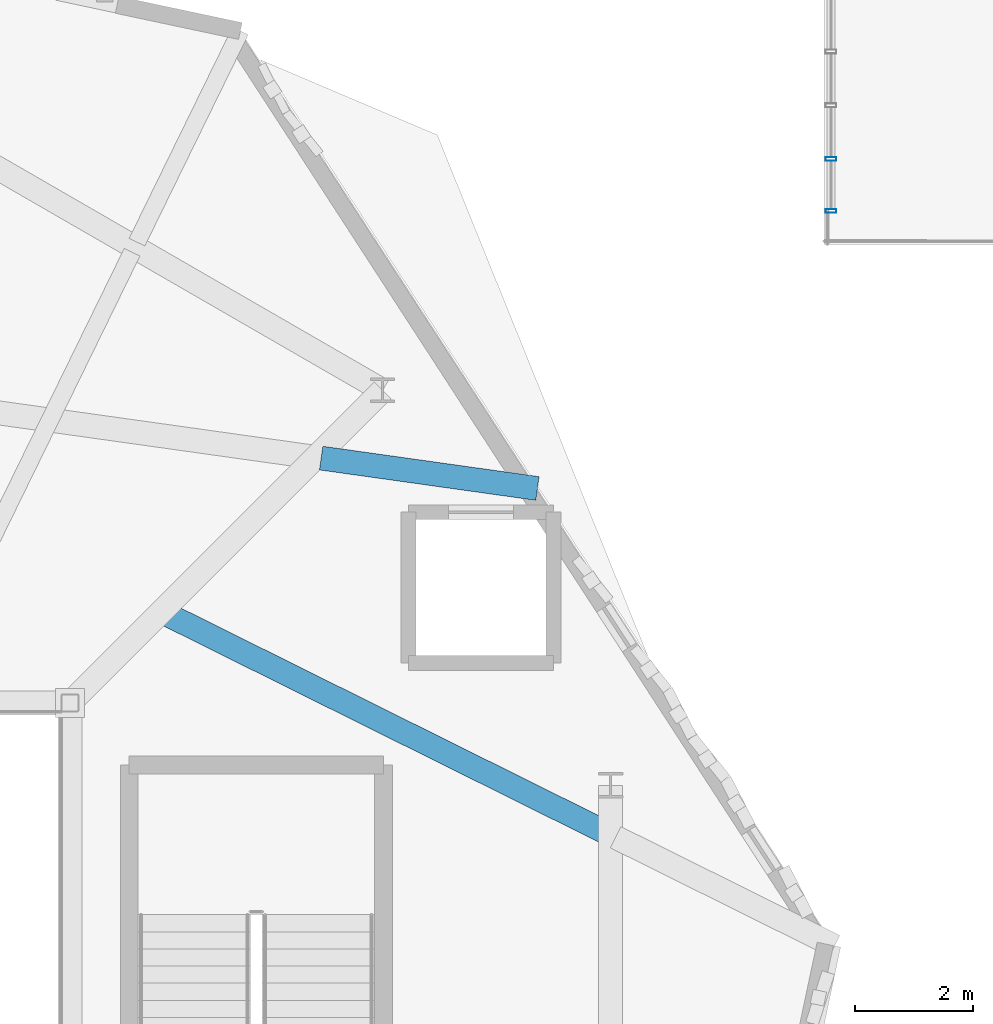
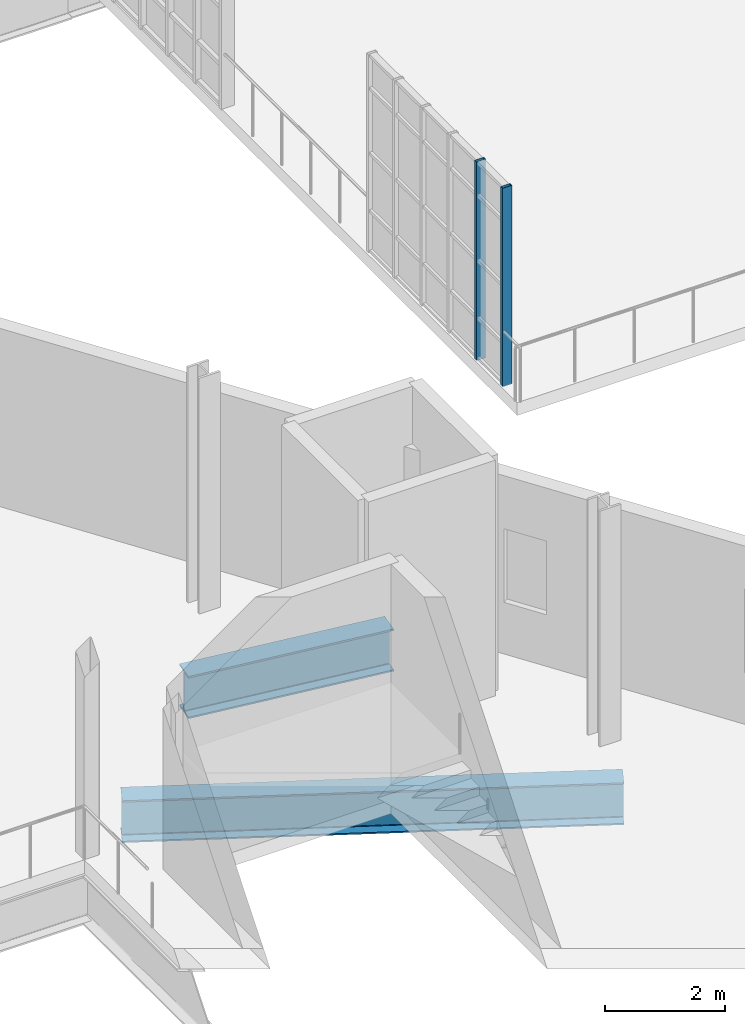
# One storey, part 43 of 118: 2 beams, 2 members, 1 element without a shape of its own.
"""IFC4 building model written with IfcOpenShell, lengths in metres."""

from ifc_helpers import new_model, si_unit, direction, frame, origin, origin_2d, place, context, subcontext, project, spatial, hollow_rectangle, i_section, extrude, material, layer, layer_set, material_profile, profile_set, type_object, element, aggregate, save


model = new_model("IFC4")

# Units and contexts
model_context = context("Model", 3, precision=1e-05, world=origin(), true_north=direction((0.0, 1.0)))
body_context = subcontext(model_context, "Body", "Model", "MODEL_VIEW")
ifc_project = project(units=[si_unit("LENGTHUNIT", "METRE"), si_unit("AREAUNIT", "SQUARE_METRE"), si_unit("VOLUMEUNIT", "CUBIC_METRE"), si_unit("PLANEANGLEUNIT", "RADIAN"), si_unit("MASSUNIT", "GRAM", prefix="KILO"), si_unit("THERMODYNAMICTEMPERATUREUNIT", "KELVIN"), si_unit("POWERUNIT", "WATT")], contexts=[model_context])

# Site, building, storey
site_placement = place(None, origin())
site = spatial("IfcSite", under=ifc_project, at=site_placement, CompositionType="ELEMENT")
building_placement = place(site_placement, origin())
building = spatial("IfcBuilding", under=site, at=building_placement, Name="Zelmaris Science Centre", CompositionType="ELEMENT")
storey_placement = place(building_placement, frame((0.0, 0.0, 15.60009765625)))
storey = spatial("IfcBuildingStorey", under=building, at=storey_placement, Name="L03", CompositionType="ELEMENT", Elevation=15.60009765625)

# Curtain wall, members
ifc_material_1 = material(Name="Anodised architectural aluminium 6063-T6", Category="aluminium")
ifc_layer = layer(ifc_material_1, 0.2099609375, Name="Anodised architectural aluminium 6063-T6")
ifc_layer_set = layer_set([ifc_layer], Name="Anodised architectural aluminium 6063-T6")
curtain_wall_type = type_object("IfcCurtainWallType", Name="Curtain Wall CW-03", PredefinedType="USERDEFINED", material=ifc_layer_set)
curtain_wall_placement = place(storey_placement, origin())
curtain_wall = element("IfcCurtainWall", 1, at=curtain_wall_placement, inside=storey, type_object=curtain_wall_type, Name="L03 Unitised curtain wall 331", ObjectType="GLAZED CURTAIN WALL", PredefinedType="USERDEFINED")
ifc_material_profile_1 = material_profile(ifc_material_1, hollow_rectangle(XDim=0.06494140625, YDim=0.179931640625, WallThickness=0.00390625, at=origin_2d()), Name="ALU-MUL-65X180")
ifc_profile_set_1 = profile_set([ifc_material_profile_1], Name="Anodised architectural aluminium 6063-T6")
member_type = type_object("IfcMemberType", Name="ALU-MUL-65X180", PredefinedType="MULLION", material=ifc_profile_set_1)
member_1_placement = place(storey_placement, frame((99.1201171875, 49.568603515625, -0.01513671875), z_axis=(0.0, 0.0, 1.0), x_axis=(-5.235988e-06, 0.999999999986, 0.0)))
member_1 = element("IfcMember", 2, at=member_1_placement, type_object=member_type, Name="CW-03 mullion 1", PredefinedType="MULLION", context=body_context, shape_type="SweptSolid", body=[
    extrude(hollow_rectangle(XDim=0.06494140625, YDim=0.179931640625, WallThickness=0.00390625, at=origin_2d()), origin(), (0.0, 0.0, 1.0), 4.044921875),
])
member_2_placement = place(storey_placement, frame((99.1201171875, 50.447998046875, -0.01513671875), z_axis=(0.0, 0.0, 1.0), x_axis=(-5.235988e-06, 0.999999999986, 0.0)))
member_2 = element("IfcMember", 3, at=member_2_placement, type_object=member_type, Name="CW-03 mullion 2", PredefinedType="MULLION", context=body_context, shape_type="SweptSolid", body=[
    extrude(hollow_rectangle(XDim=0.06494140625, YDim=0.179931640625, WallThickness=0.00390625, at=origin_2d()), origin(), (0.0, 0.0, 1.0), 4.044921875),
])
aggregate(curtain_wall, [member_1, member_2])

# Beams
ifc_material_2 = material(Name="Steel ASTM A992 Grade 50", Category="steel")
ifc_material_profile_2 = material_profile(ifc_material_2, i_section(OverallWidth=0.40087890625, OverallDepth=0.85595703125, WebThickness=0.018310546875, FlangeThickness=0.029296875, FilletRadius=0.02001953125, at=origin_2d()), Name="W33X201")
ifc_profile_set_2 = profile_set([ifc_material_profile_2], Name="Steel ASTM A992 Grade 50")
beam_type_1 = type_object("IfcBeamType", Name="Beam G-05 W33X201", PredefinedType="BEAM", material=ifc_profile_set_2)
beam_1_placement = place(storey_placement, frame((87.79443359375, 42.79443359375, -0.7080078125), z_axis=(0.895623107134, -0.444813725021, 0.0), x_axis=(0.444813725021, 0.895623107134, 0.0)))
element("IfcBeam", 4, at=beam_1_placement, inside=storey, type_object=beam_type_1, Name="L03 Overhang back-span girder 4", PredefinedType="BEAM", context=body_context, shape_type="SweptSolid", body=[
    extrude(i_section(OverallWidth=0.40087890625, OverallDepth=0.85595703125, WebThickness=0.018310546875, FlangeThickness=0.029296875, FilletRadius=0.02001953125, at=origin_2d()), origin(), (0.0, 0.0, 1.0), 8.38818359375),
])
ifc_material_profile_3 = material_profile(ifc_material_2, i_section(OverallWidth=0.404052734375, OverallDepth=0.861083984375, WebThickness=0.019775390625, FlangeThickness=0.032470703125, FilletRadius=0.02001953125, at=origin_2d()), Name="W33X221")
ifc_profile_set_3 = profile_set([ifc_material_profile_3], Name="Steel ASTM A992 Grade 50")
beam_type_2 = type_object("IfcBeamType", Name="Beam G-28 W33X221", PredefinedType="BEAM", material=ifc_profile_set_3)
beam_2_placement = place(storey_placement, frame((90.49755859375, 45.390380859375, -0.710693359375), z_axis=(0.990290305521, -0.13901478623, 0.0), x_axis=(0.13901478623, 0.990290305521, 0.0)))
element("IfcBeam", 5, at=beam_2_placement, inside=storey, type_object=beam_type_2, Name="L03 Radial overhang girder 5", PredefinedType="BEAM", context=body_context, shape_type="SweptSolid", body=[
    extrude(i_section(OverallWidth=0.404052734375, OverallDepth=0.861083984375, WebThickness=0.019775390625, FlangeThickness=0.032470703125, FilletRadius=0.02001953125, at=origin_2d()), origin(), (0.0, 0.0, 1.0), 3.693359375),
])

save(model, "model.ifc")
